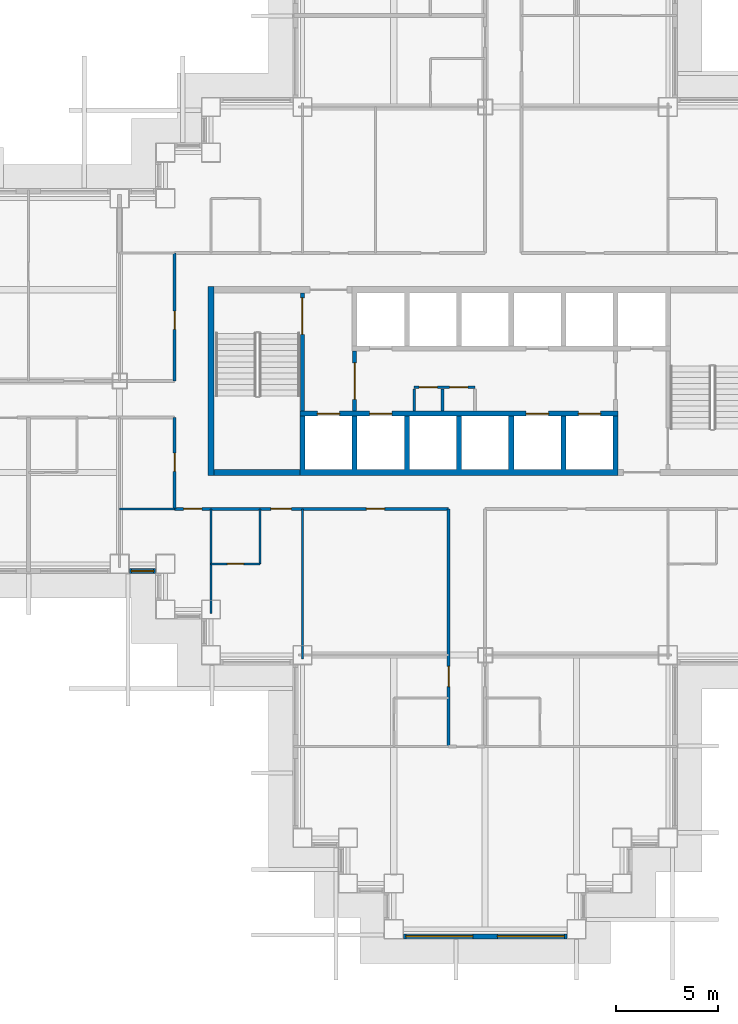
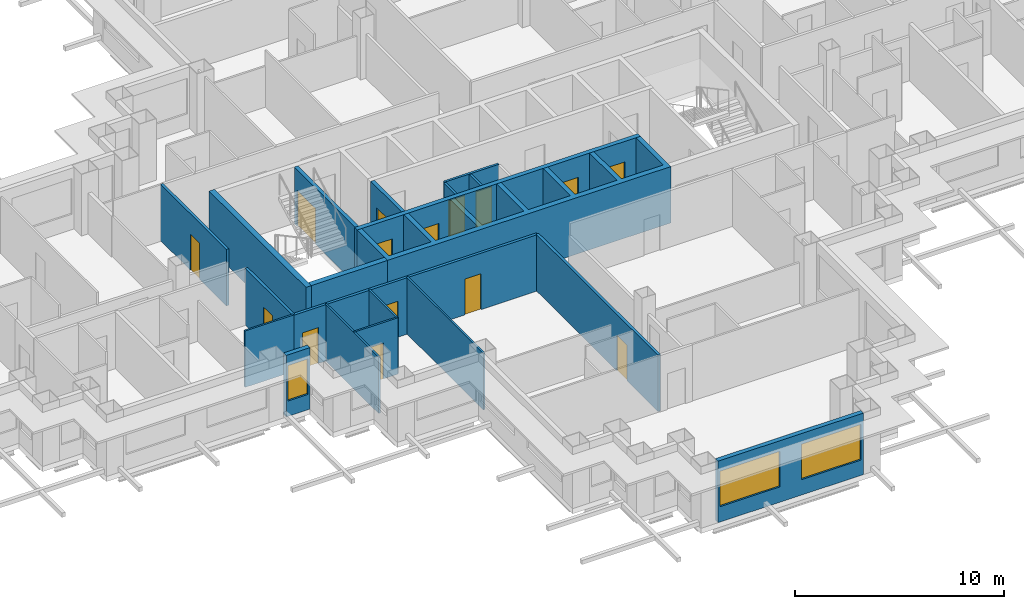
# One storey, part 4 of 15: 20 walls, 15 doors, 3 windows, 18 openings.
"""IFC4 building model written with IfcOpenShell, lengths in metres."""

from ifc_helpers import new_model, si_unit, direction, frame, frame_2d, origin, place, context, subcontext, project, spatial, polyline, rectangle, outline, extrude, material, layer, layer_set, type_object, element, fill, save


model = new_model("IFC4")

# Units and contexts
model_context = context("Model", 3, precision=1e-05, world=origin(), true_north=direction((0.0, 1.0)))
body_context = subcontext(model_context, "Body", "Model", "MODEL_VIEW")
ifc_project = project(units=[si_unit("LENGTHUNIT", "METRE"), si_unit("AREAUNIT", "SQUARE_METRE"), si_unit("VOLUMEUNIT", "CUBIC_METRE"), si_unit("PLANEANGLEUNIT", "RADIAN"), si_unit("MASSUNIT", "GRAM", prefix="KILO")], contexts=[model_context])

# Site, building, storey
site_placement = place(None, origin())
site = spatial("IfcSite", under=ifc_project, at=site_placement, CompositionType="ELEMENT")
building_placement = place(site_placement, origin())
building = spatial("IfcBuilding", under=site, at=building_placement, Name="Caravel Reach Hotel and Residences", CompositionType="ELEMENT")
storey_placement = place(building_placement, frame((0.0, 0.0, 81.60009765625)))
storey = spatial("IfcBuildingStorey", under=building, at=storey_placement, Name="L19", CompositionType="ELEMENT", Elevation=81.60009765625)

# Wall, opening, door
ifc_material_1 = material(Name="Gypsum board on steel stud", Category="steel")
ifc_layer_1 = layer(ifc_material_1, 0.10009765625)
ifc_layer_set_1 = layer_set([ifc_layer_1], Name="Bathroom pod wall 100 mm")
wall_type_1 = type_object("IfcWallType", Name="Bathroom pod wall 100 mm", PredefinedType="PARTITIONING", material=ifc_layer_set_1)
wall_1_placement = place(storey_placement, frame((18.0, 18.0, 0.0), z_axis=(0.0, 0.0, 1.0), x_axis=(1.0, 0.0, 0.0)))
wall_1 = element("IfcWall", 1, at=wall_1_placement, inside=storey, type_object=wall_type_1, Name="L19 wall w084", PredefinedType="PARTITIONING", context=body_context, shape_type="SweptSolid", body=[
    extrude(rectangle(XDim=2.39990234375, YDim=0.10009765625, at=frame_2d((1.199951171875, 0.0))), origin(), (0.0, 0.0, 1.0), 3.2998046875),
])
opening_1_placement = place(wall_1_placement, frame((0.800048828125, 0.0, 0.0)))
opening_1 = element("IfcOpeningElement", 2, at=opening_1_placement, cuts=wall_1, Name="Opening D19-053", PredefinedType="OPENING", context=body_context, shape_type="SweptSolid", body=[
    extrude(rectangle(XDim=0.800048828125, YDim=2.10009765625, at=frame_2d((0.39990234375, 1.050048828125))), frame((0.0, 0.06005859375, 0.0), z_axis=(0.0, -1.0, 0.0), x_axis=(1.0, 0.0, 0.0)), (0.0, 0.0, 1.0), 0.1201171875),
])
ifc_material_2 = material(Name="Timber and steel door leaf", Category="steel")
door_type_1 = type_object("IfcDoorType", Name="Bathroom door 800 x 2100", OperationType="SINGLE_SWING_LEFT", PredefinedType="DOOR", material=ifc_material_2)
door_1_placement = place(opening_1_placement, origin())
door_1 = element("IfcDoor", 3, at=door_1_placement, inside=storey, type_object=door_type_1, Name="door D19-053", OperationType="SINGLE_SWING_LEFT", OverallHeight=2.10009765625, OverallWidth=0.800048828125, PredefinedType="DOOR", context=body_context, shape_type="SweptSolid", body=[
    extrude(rectangle(XDim=0.800048828125, YDim=2.10009765625, at=frame_2d((0.39990234375, 1.050048828125))), frame((0.0, 0.02490234375, 0.0), z_axis=(0.0, -1.0, 0.0), x_axis=(1.0, 0.0, 0.0)), (0.0, 0.0, 1.0), 0.050048828125),
])
fill(opening_1, door_1)

# Walls
wall_2_placement = place(storey_placement, frame((20.39990234375, 18.0, 0.0), z_axis=(0.0, 0.0, 1.0), x_axis=(0.0, 1.0, 0.0)))
element("IfcWall", 4, at=wall_2_placement, inside=storey, type_object=wall_type_1, Name="L19 wall w103", PredefinedType="PARTITIONING", context=body_context, shape_type="SweptSolid", body=[
    extrude(rectangle(XDim=2.699951171875, YDim=0.10009765625, at=frame_2d((1.35009765625, 0.0))), origin(), (0.0, 0.0, 1.0), 3.2998046875),
])
ifc_material_3 = material(Name="Concrete C60", Category="concrete")
ifc_layer_2 = layer(ifc_material_3, 0.300048828125)
ifc_layer_set_2 = layer_set([ifc_layer_2], Name="Core wall 300 mm EI 120")
wall_type_2 = type_object("IfcWallType", Name="Core wall 300 mm EI 120", PredefinedType="SHEAR", material=ifc_layer_set_2)
wall_3_placement = place(storey_placement, frame((18.14990234375, 22.5, 0.0), z_axis=(0.0, 0.0, 1.0), x_axis=(1.0, 0.0, 0.0)))
element("IfcWall", 5, at=wall_3_placement, inside=storey, type_object=wall_type_2, Name="L19 core wall S1", PredefinedType="SHEAR", context=body_context, shape_type="SweptSolid", body=[
    extrude(rectangle(XDim=4.22509765625, YDim=0.300048828125, at=frame_2d((2.112548828125, 0.0))), origin(), (0.0, 0.0, 1.0), 3.2998046875),
])
wall_4_placement = place(storey_placement, frame((18.0, 22.35009765625, 0.0), z_axis=(0.0, 0.0, 1.0), x_axis=(0.0, 1.0, 0.0)))
element("IfcWall", 6, at=wall_4_placement, inside=storey, type_object=wall_type_2, Name="L19 core wall W", PredefinedType="SHEAR", context=body_context, shape_type="SweptSolid", body=[
    extrude(rectangle(XDim=9.2998046875, YDim=0.300048828125, at=frame_2d((4.64990234375, 0.0))), origin(), (0.0, 0.0, 1.0), 3.2998046875),
])

# Wall, openings, doors
ifc_material_4 = material(Name="Gypsum board on steel stud, fire-rated", Category="steel")
ifc_layer_3 = layer(ifc_material_4, 0.14990234375)
ifc_layer_set_3 = layer_set([ifc_layer_3], Name="Corridor wall 150 mm EI 60")
wall_type_3 = type_object("IfcWallType", Name="Corridor wall 150 mm EI 60", PredefinedType="PARTITIONING", material=ifc_layer_set_3)
wall_5_placement = place(storey_placement, frame((16.199951171875, 20.699951171875, 0.0), z_axis=(0.0, 0.0, 1.0), x_axis=(1.0, 0.0, 0.0)))
wall_5 = element("IfcWall", 7, at=wall_5_placement, inside=storey, type_object=wall_type_3, Name="L19 wall w005", PredefinedType="PARTITIONING", context=body_context, shape_type="SweptSolid", body=[
    extrude(rectangle(XDim=13.5, YDim=0.14990234375, at=frame_2d((6.75, 0.0))), origin(), (0.0, 0.0, 1.0), 3.2998046875),
])
opening_2_placement = place(wall_5_placement, frame((4.75, 0.0, 0.0)))
opening_2 = element("IfcOpeningElement", 8, at=opening_2_placement, cuts=wall_5, Name="Opening D19-052", PredefinedType="OPENING", context=body_context, shape_type="SweptSolid", body=[
    extrude(rectangle(XDim=1.0, YDim=2.10009765625, at=frame_2d((0.5, 1.050048828125))), frame((0.0, 0.0849609375, 0.0), z_axis=(0.0, -1.0, 0.0), x_axis=(1.0, 0.0, 0.0)), (0.0, 0.0, 1.0), 0.169921875),
])
opening_3_placement = place(wall_5_placement, frame((0.449951171875, 0.0, 0.0)))
opening_3 = element("IfcOpeningElement", 9, at=opening_3_placement, cuts=wall_5, Name="Opening D19-054", PredefinedType="OPENING", context=body_context, shape_type="SweptSolid", body=[
    extrude(rectangle(XDim=0.89990234375, YDim=2.10009765625, at=frame_2d((0.449951171875, 1.050048828125))), frame((0.0, 0.0849609375, 0.0), z_axis=(0.0, -1.0, 0.0), x_axis=(1.0, 0.0, 0.0)), (0.0, 0.0, 1.0), 0.169921875),
])
opening_4_placement = place(wall_5_placement, frame((9.449951171875, 0.0, 0.0)))
opening_4 = element("IfcOpeningElement", 10, at=opening_4_placement, cuts=wall_5, Name="Opening D19-061", PredefinedType="OPENING", context=body_context, shape_type="SweptSolid", body=[
    extrude(rectangle(XDim=0.89990234375, YDim=2.10009765625, at=frame_2d((0.449951171875, 1.050048828125))), frame((0.0, 0.0849609375, 0.0), z_axis=(0.0, -1.0, 0.0), x_axis=(1.0, 0.0, 0.0)), (0.0, 0.0, 1.0), 0.169921875),
])
ifc_material_5 = material(Name="Timber and steel door leaf", Category="steel")
door_type_2 = type_object("IfcDoorType", Name="Door 900 x 2100 timber", OperationType="SINGLE_SWING_LEFT", PredefinedType="DOOR", material=ifc_material_5)
door_2_placement = place(opening_3_placement, origin())
door_2 = element("IfcDoor", 11, at=door_2_placement, inside=storey, type_object=door_type_2, Name="door D19-054", OperationType="SINGLE_SWING_RIGHT", OverallHeight=2.10009765625, OverallWidth=0.89990234375, PredefinedType="DOOR", context=body_context, shape_type="SweptSolid", body=[
    extrude(rectangle(XDim=0.89990234375, YDim=2.10009765625, at=frame_2d((0.449951171875, 1.050048828125))), frame((0.0, 0.02490234375, 0.0), z_axis=(0.0, -1.0, 0.0), x_axis=(1.0, 0.0, 0.0)), (0.0, 0.0, 1.0), 0.050048828125),
])
fill(opening_3, door_2)
door_3_placement = place(opening_4_placement, origin())
door_3 = element("IfcDoor", 12, at=door_3_placement, inside=storey, type_object=door_type_2, Name="door D19-061", OperationType="SINGLE_SWING_LEFT", OverallHeight=2.10009765625, OverallWidth=0.89990234375, PredefinedType="DOOR", context=body_context, shape_type="SweptSolid", body=[
    extrude(rectangle(XDim=0.89990234375, YDim=2.10009765625, at=frame_2d((0.449951171875, 1.050048828125))), frame((0.0, 0.02490234375, 0.0), z_axis=(0.0, -1.0, 0.0), x_axis=(1.0, 0.0, 0.0)), (0.0, 0.0, 1.0), 0.050048828125),
])
fill(opening_4, door_3)
ifc_material_6 = material(Name="Steel fire door leaf", Category="steel")
door_type_3 = type_object("IfcDoorType", Name="Guest room door 1000 x 2100 EI 30", OperationType="SINGLE_SWING_LEFT", PredefinedType="DOOR", material=ifc_material_6)
door_4_placement = place(opening_2_placement, origin())
door_4 = element("IfcDoor", 13, at=door_4_placement, inside=storey, type_object=door_type_3, Name="door D19-052", OperationType="SINGLE_SWING_RIGHT", OverallHeight=2.10009765625, OverallWidth=1.0, PredefinedType="DOOR", context=body_context, shape_type="SweptSolid", body=[
    extrude(rectangle(XDim=1.0, YDim=2.10009765625, at=frame_2d((0.5, 1.050048828125))), frame((0.0, 0.02490234375, 0.0), z_axis=(0.0, -1.0, 0.0), x_axis=(1.0, 0.0, 0.0)), (0.0, 0.0, 1.0), 0.050048828125),
])
fill(opening_2, door_4)

# Wall, opening, door
wall_6_placement = place(storey_placement, frame((16.199951171875, 27.0, 0.0), z_axis=(0.0, 0.0, 1.0), x_axis=(0.0, 1.0, 0.0)))
wall_6 = element("IfcWall", 14, at=wall_6_placement, inside=storey, type_object=wall_type_3, Name="L19 wall w027", PredefinedType="PARTITIONING", context=body_context, shape_type="SweptSolid", body=[
    extrude(rectangle(XDim=6.300048828125, YDim=0.14990234375, at=frame_2d((3.14990234375, 0.0))), origin(), (0.0, 0.0, 1.0), 3.2998046875),
])
opening_5_placement = place(wall_6_placement, frame((2.550048828125, 0.0, 0.0)))
opening_5 = element("IfcOpeningElement", 15, at=opening_5_placement, cuts=wall_6, Name="Opening D19-064", PredefinedType="OPENING", context=body_context, shape_type="SweptSolid", body=[
    extrude(rectangle(XDim=0.89990234375, YDim=2.10009765625, at=frame_2d((0.449951171875, 1.050048828125))), frame((0.0, 0.0849609375, 0.0), z_axis=(0.0, -1.0, 0.0), x_axis=(1.0, 0.0, 0.0)), (0.0, 0.0, 1.0), 0.169921875),
])
door_5_placement = place(opening_5_placement, origin())
door_5 = element("IfcDoor", 16, at=door_5_placement, inside=storey, type_object=door_type_2, Name="door D19-064", OperationType="SINGLE_SWING_LEFT", OverallHeight=2.10009765625, OverallWidth=0.89990234375, PredefinedType="DOOR", context=body_context, shape_type="SweptSolid", body=[
    extrude(rectangle(XDim=0.89990234375, YDim=2.10009765625, at=frame_2d((0.449951171875, 1.050048828125))), frame((0.0, 0.02490234375, 0.0), z_axis=(0.0, -1.0, 0.0), x_axis=(1.0, 0.0, 0.0)), (0.0, 0.0, 1.0), 0.050048828125),
])
fill(opening_5, door_5)

wall_7_placement = place(storey_placement, frame((16.199951171875, 20.699951171875, 0.0), z_axis=(0.0, 0.0, 1.0), x_axis=(0.0, 1.0, 0.0)))
wall_7 = element("IfcWall", 17, at=wall_7_placement, inside=storey, type_object=wall_type_3, Name="L19 wall w028", PredefinedType="PARTITIONING", context=body_context, shape_type="SweptSolid", body=[
    extrude(rectangle(XDim=4.5, YDim=0.14990234375, at=frame_2d((2.25, 0.0))), origin(), (0.0, 0.0, 1.0), 3.2998046875),
])
opening_6_placement = place(wall_7_placement, frame((1.85009765625, 0.0, 0.0)))
opening_6 = element("IfcOpeningElement", 18, at=opening_6_placement, cuts=wall_7, Name="Opening D19-063", PredefinedType="OPENING", context=body_context, shape_type="SweptSolid", body=[
    extrude(rectangle(XDim=0.89990234375, YDim=2.10009765625, at=frame_2d((0.449951171875, 1.050048828125))), frame((0.0, 0.0849609375, 0.0), z_axis=(0.0, -1.0, 0.0), x_axis=(1.0, 0.0, 0.0)), (0.0, 0.0, 1.0), 0.169921875),
])
door_6_placement = place(opening_6_placement, origin())
door_6 = element("IfcDoor", 19, at=door_6_placement, inside=storey, type_object=door_type_2, Name="door D19-063", OperationType="SINGLE_SWING_RIGHT", OverallHeight=2.10009765625, OverallWidth=0.89990234375, PredefinedType="DOOR", context=body_context, shape_type="SweptSolid", body=[
    extrude(rectangle(XDim=0.89990234375, YDim=2.10009765625, at=frame_2d((0.449951171875, 1.050048828125))), frame((0.0, 0.02490234375, 0.0), z_axis=(0.0, -1.0, 0.0), x_axis=(1.0, 0.0, 0.0)), (0.0, 0.0, 1.0), 0.050048828125),
])
fill(opening_6, door_6)

wall_8_placement = place(storey_placement, frame((29.699951171875, 9.0, 0.0), z_axis=(0.0, 0.0, 1.0), x_axis=(0.0, 1.0, 0.0)))
wall_8 = element("IfcWall", 20, at=wall_8_placement, inside=storey, type_object=wall_type_3, Name="L19 wall w029", PredefinedType="PARTITIONING", context=body_context, shape_type="SweptSolid", body=[
    extrude(rectangle(XDim=11.699951171875, YDim=0.14990234375, at=frame_2d((5.85009765625, 0.0))), origin(), (0.0, 0.0, 1.0), 3.2998046875),
])
opening_7_placement = place(wall_8_placement, frame((2.949951171875, 0.0, 0.0)))
opening_7 = element("IfcOpeningElement", 21, at=opening_7_placement, cuts=wall_8, Name="Opening D19-038", PredefinedType="OPENING", context=body_context, shape_type="SweptSolid", body=[
    extrude(rectangle(XDim=1.0, YDim=2.10009765625, at=frame_2d((0.5, 1.050048828125))), frame((0.0, 0.0849609375, 0.0), z_axis=(0.0, -1.0, 0.0), x_axis=(1.0, 0.0, 0.0)), (0.0, 0.0, 1.0), 0.169921875),
])
door_7_placement = place(opening_7_placement, origin())
door_7 = element("IfcDoor", 22, at=door_7_placement, inside=storey, type_object=door_type_3, Name="door D19-038", OperationType="SINGLE_SWING_RIGHT", OverallHeight=2.10009765625, OverallWidth=1.0, PredefinedType="DOOR", context=body_context, shape_type="SweptSolid", body=[
    extrude(rectangle(XDim=1.0, YDim=2.10009765625, at=frame_2d((0.5, 1.050048828125))), frame((0.0, 0.02490234375, 0.0), z_axis=(0.0, -1.0, 0.0), x_axis=(1.0, 0.0, 0.0)), (0.0, 0.0, 1.0), 0.050048828125),
])
fill(opening_7, door_7)

# Wall, openings, windows
ifc_material_7 = material(Name="Insulated rainscreen wall, aluminium cladding", Category="aluminium")
ifc_layer_4 = layer(ifc_material_7, 0.25)
ifc_layer_set_4 = layer_set([ifc_layer_4], Name="EW1 Tower rainscreen wall")
wall_type_4 = type_object("IfcWallType", Name="EW1 Tower rainscreen wall", PredefinedType="SOLIDWALL", material=ifc_layer_set_4)
wall_9_placement = place(storey_placement, frame((27.47509765625, -0.35009765625, 0.0), z_axis=(0.0, 0.0, 1.0), x_axis=(1.0, 0.0, 0.0)))
wall_9 = element("IfcWall", 23, at=wall_9_placement, inside=storey, type_object=wall_type_4, Name="External wall L19 S5.1", PredefinedType="SOLIDWALL", context=body_context, shape_type="SweptSolid", body=[
    extrude(rectangle(XDim=8.0498046875, YDim=0.25, at=frame_2d((4.02490234375, 0.0))), origin(), (0.0, 0.0, 1.0), 3.599853515625),
])
opening_8_placement = place(wall_9_placement, frame((0.125, 0.0, 0.89990234375)))
opening_8 = element("IfcOpeningElement", 24, at=opening_8_placement, cuts=wall_9, Name="Opening WN4", PredefinedType="OPENING", context=body_context, shape_type="SweptSolid", body=[
    extrude(rectangle(XDim=3.300048828125, YDim=2.080078125, at=frame_2d((1.64990234375, 1.0400390625))), frame((0.0, 0.135009765625, 0.0), z_axis=(0.0, -1.0, 0.0), x_axis=(1.0, 0.0, 0.0)), (0.0, 0.0, 1.0), 0.27001953125),
])
opening_9_placement = place(wall_9_placement, frame((4.625, 0.0, 0.89990234375)))
opening_9 = element("IfcOpeningElement", 25, at=opening_9_placement, cuts=wall_9, Name="Opening WN4", PredefinedType="OPENING", context=body_context, shape_type="SweptSolid", body=[
    extrude(rectangle(XDim=3.300048828125, YDim=2.080078125, at=frame_2d((1.64990234375, 1.0400390625))), frame((0.0, 0.135009765625, 0.0), z_axis=(0.0, -1.0, 0.0), x_axis=(1.0, 0.0, 0.0)), (0.0, 0.0, 1.0), 0.27001953125),
])
ifc_material_8 = material(Name="Dark low-e glazing in black aluminium frame", Category="aluminium")
window_type_1 = type_object("IfcWindowType", Name="Hotel guest room window 3300 x 2080", PartitioningType="SINGLE_PANEL", PredefinedType="WINDOW", material=ifc_material_8)
window_1_placement = place(opening_8_placement, origin())
window_1 = element("IfcWindow", 26, at=window_1_placement, inside=storey, type_object=window_type_1, Name="Window L19 S5.1.1", OverallHeight=2.080078125, OverallWidth=3.300048828125, PartitioningType="SINGLE_PANEL", PredefinedType="WINDOW", context=body_context, shape_type="SweptSolid", body=[
    extrude(rectangle(XDim=3.300048828125, YDim=2.080078125, at=frame_2d((1.64990234375, 1.0400390625))), frame((0.0, 0.030029296875, 0.0), z_axis=(0.0, -1.0, 0.0), x_axis=(1.0, 0.0, 0.0)), (0.0, 0.0, 1.0), 0.06005859375),
])
fill(opening_8, window_1)
window_2_placement = place(opening_9_placement, origin())
window_2 = element("IfcWindow", 27, at=window_2_placement, inside=storey, type_object=window_type_1, Name="Window L19 S5.1.2", OverallHeight=2.080078125, OverallWidth=3.300048828125, PartitioningType="SINGLE_PANEL", PredefinedType="WINDOW", context=body_context, shape_type="SweptSolid", body=[
    extrude(rectangle(XDim=3.300048828125, YDim=2.080078125, at=frame_2d((1.64990234375, 1.0400390625))), frame((0.0, 0.030029296875, 0.0), z_axis=(0.0, -1.0, 0.0), x_axis=(1.0, 0.0, 0.0)), (0.0, 0.0, 1.0), 0.06005859375),
])
fill(opening_9, window_2)

# Wall, opening, window
wall_10_placement = place(storey_placement, frame((13.97509765625, 17.64990234375, 0.0), z_axis=(0.0, 0.0, 1.0), x_axis=(1.0, 0.0, 0.0)))
wall_10 = element("IfcWall", 28, at=wall_10_placement, inside=storey, type_object=wall_type_4, Name="External wall L19 S55.2", PredefinedType="SOLIDWALL", context=body_context, shape_type="SweptSolid", body=[
    extrude(rectangle(XDim=1.2998046875, YDim=0.25, at=frame_2d((0.64990234375, 0.0))), origin(), (0.0, 0.0, 1.0), 3.599853515625),
])
opening_10_placement = place(wall_10_placement, frame((0.10009765625, 0.0, 0.89990234375)))
opening_10 = element("IfcOpeningElement", 29, at=opening_10_placement, cuts=wall_10, Name="Opening WN5", PredefinedType="OPENING", context=body_context, shape_type="SweptSolid", body=[
    extrude(rectangle(XDim=1.10009765625, YDim=2.080078125, at=frame_2d((0.550048828125, 1.0400390625))), frame((0.0, 0.135009765625, 0.0), z_axis=(0.0, -1.0, 0.0), x_axis=(1.0, 0.0, 0.0)), (0.0, 0.0, 1.0), 0.27001953125),
])
ifc_material_9 = material(Name="Dark low-e glazing in black aluminium frame", Category="aluminium")
window_type_2 = type_object("IfcWindowType", Name="Hotel suite corner window 1100 x 2080", PartitioningType="SINGLE_PANEL", PredefinedType="WINDOW", material=ifc_material_9)
window_3_placement = place(opening_10_placement, origin())
window_3 = element("IfcWindow", 30, at=window_3_placement, inside=storey, type_object=window_type_2, Name="Window L19 S55.2.1", OverallHeight=2.080078125, OverallWidth=1.10009765625, PartitioningType="SINGLE_PANEL", PredefinedType="WINDOW", context=body_context, shape_type="SweptSolid", body=[
    extrude(rectangle(XDim=1.10009765625, YDim=2.080078125, at=frame_2d((0.550048828125, 1.0400390625))), frame((0.0, 0.030029296875, 0.0), z_axis=(0.0, -1.0, 0.0), x_axis=(1.0, 0.0, 0.0)), (0.0, 0.0, 1.0), 0.06005859375),
])
fill(opening_10, window_3)

# Wall, opening, door
ifc_material_10 = material(Name="Autoclaved aerated block wall")
ifc_layer_5 = layer(ifc_material_10, 0.199951171875)
ifc_layer_set_5 = layer_set([ifc_layer_5], Name="Fire lobby wall 200 mm EI 120")
wall_type_5 = type_object("IfcWallType", Name="Fire lobby wall 200 mm EI 120", PredefinedType="PARTITIONING", material=ifc_layer_set_5)
wall_11_placement = place(storey_placement, frame((25.071533203125, 25.52490234375, 0.0), z_axis=(0.0, 0.0, 1.0), x_axis=(0.0, 1.0, 0.0)))
wall_11 = element("IfcWall", 31, at=wall_11_placement, inside=storey, type_object=wall_type_5, Name="L19 lobby W wall", PredefinedType="PARTITIONING", context=body_context, shape_type="SweptSolid", body=[
    extrude(rectangle(XDim=2.9501953125, YDim=0.199951171875, at=frame_2d((1.47509765625, 0.0))), origin(), (0.0, 0.0, 1.0), 3.2998046875),
])
opening_11_placement = place(wall_11_placement, frame((0.574951171875, 0.0, 0.0)))
opening_11 = element("IfcOpeningElement", 32, at=opening_11_placement, cuts=wall_11, Name="Opening D19-012", PredefinedType="OPENING", context=body_context, shape_type="SweptSolid", body=[
    extrude(rectangle(XDim=1.800048828125, YDim=2.10009765625, at=frame_2d((0.89990234375, 1.050048828125))), frame((0.0, 0.10986328125, 0.0), z_axis=(0.0, -1.0, 0.0), x_axis=(1.0, 0.0, 0.0)), (0.0, 0.0, 1.0), 0.219970703125),
])
ifc_material_11 = material(Name="Steel fire door leaf", Category="steel")
door_type_4 = type_object("IfcDoorType", Name="Fire lobby door pair 1800 x 2100 EI 90", OperationType="DOUBLE_DOOR_SINGLE_SWING", PredefinedType="DOOR", material=ifc_material_11)
door_8_placement = place(opening_11_placement, origin())
door_8 = element("IfcDoor", 33, at=door_8_placement, inside=storey, type_object=door_type_4, Name="lobby W door pair", OperationType="DOUBLE_DOOR_SINGLE_SWING", OverallHeight=2.10009765625, OverallWidth=1.800048828125, PredefinedType="DOOR", context=body_context, shape_type="SweptSolid", body=[
    extrude(rectangle(XDim=1.800048828125, YDim=2.10009765625, at=frame_2d((0.89990234375, 1.050048828125))), frame((0.0, 0.02490234375, 0.0), z_axis=(0.0, -1.0, 0.0), x_axis=(1.0, 0.0, 0.0)), (0.0, 0.0, 1.0), 0.050048828125),
])
fill(opening_11, door_8)

# Walls
ifc_material_12 = material(Name="Gypsum board on steel stud", Category="steel")
ifc_layer_6 = layer(ifc_material_12, 0.10009765625)
ifc_layer_set_6 = layer_set([ifc_layer_6], Name="Partition 100 mm")
wall_type_6 = type_object("IfcWallType", Name="Partition 100 mm", PredefinedType="PARTITIONING", material=ifc_layer_set_6)
wall_12_placement = place(storey_placement, frame((13.5, 20.699951171875, 0.0), z_axis=(0.0, 0.0, 1.0), x_axis=(1.0, 0.0, 0.0)))
element("IfcWall", 34, at=wall_12_placement, inside=storey, type_object=wall_type_6, Name="L19 wall w045", PredefinedType="PARTITIONING", context=body_context, shape_type="SweptSolid", body=[
    extrude(rectangle(XDim=2.699951171875, YDim=0.10009765625, at=frame_2d((1.35009765625, 0.0))), origin(), (0.0, 0.0, 1.0), 3.2998046875),
])
wall_13_placement = place(storey_placement, frame((18.0, 15.56005859375, 0.0), z_axis=(0.0, 0.0, 1.0), x_axis=(0.0, 1.0, 0.0)))
element("IfcWall", 35, at=wall_13_placement, inside=storey, type_object=wall_type_6, Name="L19 wall w060", PredefinedType="PARTITIONING", context=body_context, shape_type="SweptSolid", body=[
    extrude(rectangle(XDim=5.139892578125, YDim=0.10009765625, at=frame_2d((2.56982421875, 0.0))), origin(), (0.0, 0.0, 1.0), 3.2998046875),
])
wall_14_placement = place(storey_placement, frame((22.5, 13.31005859375, 0.0), z_axis=(0.0, 0.0, 1.0), x_axis=(0.0, 1.0, 0.0)))
element("IfcWall", 36, at=wall_14_placement, inside=storey, type_object=wall_type_6, Name="L19 wall w062", PredefinedType="PARTITIONING", context=body_context, shape_type="SweptSolid", body=[
    extrude(rectangle(XDim=7.389892578125, YDim=0.10009765625, at=frame_2d((3.69482421875, 0.0))), origin(), (0.0, 0.0, 1.0), 3.2998046875),
])

# Wall, openings, doors
ifc_material_13 = material(Name="Autoclaved aerated block wall")
ifc_layer_7 = layer(ifc_material_13, 0.125)
ifc_layer_set_7 = layer_set([ifc_layer_7], Name="Riser wall 125 mm EI 60")
wall_type_7 = type_object("IfcWallType", Name="Riser wall 125 mm EI 60", PredefinedType="PARTITIONING", material=ifc_layer_set_7)
wall_15_placement = place(storey_placement, frame((28.0, 26.699951171875, 0.0), z_axis=(0.0, 0.0, 1.0), x_axis=(1.0, 0.0, 0.0)))
wall_15 = element("IfcWall", 37, at=wall_15_placement, inside=storey, type_object=wall_type_7, Name="L19 service room wall S1", PredefinedType="PARTITIONING", context=body_context, shape_type="SweptSolid", body=[
    extrude(rectangle(XDim=3.0, YDim=0.125, at=frame_2d((1.5, 0.0))), origin(), (0.0, 0.0, 1.0), 3.2998046875),
])
opening_12_placement = place(wall_15_placement, frame((0.25, 0.0, 0.0)))
opening_12 = element("IfcOpeningElement", 38, at=opening_12_placement, cuts=wall_15, Name="Opening D19-008", PredefinedType="OPENING", context=body_context, shape_type="SweptSolid", body=[
    extrude(rectangle(XDim=0.89990234375, YDim=2.10009765625, at=frame_2d((0.449951171875, 1.050048828125))), frame((0.0, 0.072509765625, 0.0), z_axis=(0.0, -1.0, 0.0), x_axis=(1.0, 0.0, 0.0)), (0.0, 0.0, 1.0), 0.14501953125),
])
opening_13_placement = place(wall_15_placement, frame((1.75, 0.0, 0.0)))
opening_13 = element("IfcOpeningElement", 39, at=opening_13_placement, cuts=wall_15, Name="Opening D19-009", PredefinedType="OPENING", context=body_context, shape_type="SweptSolid", body=[
    extrude(rectangle(XDim=0.89990234375, YDim=2.10009765625, at=frame_2d((0.449951171875, 1.050048828125))), frame((0.0, 0.072509765625, 0.0), z_axis=(0.0, -1.0, 0.0), x_axis=(1.0, 0.0, 0.0)), (0.0, 0.0, 1.0), 0.14501953125),
])
ifc_material_14 = material(Name="Steel fire door leaf", Category="steel")
door_type_5 = type_object("IfcDoorType", Name="Riser door 900 x 2100 EI 60", OperationType="SINGLE_SWING_LEFT", PredefinedType="DOOR", material=ifc_material_14)
door_9_placement = place(opening_12_placement, origin())
door_9 = element("IfcDoor", 40, at=door_9_placement, inside=storey, type_object=door_type_5, Name="Cleaners' room door", OperationType="SINGLE_SWING_LEFT", OverallHeight=2.10009765625, OverallWidth=0.89990234375, PredefinedType="DOOR", context=body_context, shape_type="SweptSolid", body=[
    extrude(rectangle(XDim=0.89990234375, YDim=2.10009765625, at=frame_2d((0.449951171875, 1.050048828125))), frame((0.0, 0.02490234375, 0.0), z_axis=(0.0, -1.0, 0.0), x_axis=(1.0, 0.0, 0.0)), (0.0, 0.0, 1.0), 0.050048828125),
])
fill(opening_12, door_9)
door_10_placement = place(opening_13_placement, origin())
door_10 = element("IfcDoor", 41, at=door_10_placement, inside=storey, type_object=door_type_5, Name="Linen store door", OperationType="SINGLE_SWING_LEFT", OverallHeight=2.10009765625, OverallWidth=0.89990234375, PredefinedType="DOOR", context=body_context, shape_type="SweptSolid", body=[
    extrude(rectangle(XDim=0.89990234375, YDim=2.10009765625, at=frame_2d((0.449951171875, 1.050048828125))), frame((0.0, 0.02490234375, 0.0), z_axis=(0.0, -1.0, 0.0), x_axis=(1.0, 0.0, 0.0)), (0.0, 0.0, 1.0), 0.050048828125),
])
fill(opening_13, door_10)

# Walls
for number, where, z_axis, x_axis, name in (
    (42, (28.0, 25.52490234375, 0.0), (0.0, 0.0, 1.0), (0.0, 1.0, 0.0), "L19 service room partition S1"),
    (43, (29.39990234375, 25.52490234375, 0.0), (0.0, 0.0, 1.0), (0.0, 1.0, 0.0), "L19 service room partition S1"),
):
    element("IfcWall", number, at=place(storey_placement, frame(where, z_axis=z_axis, x_axis=x_axis)), inside=storey, type_object=wall_type_7, Name=name, PredefinedType="PARTITIONING", context=body_context, shape_type="SweptSolid", body=[
        extrude(rectangle(XDim=1.0751953125, YDim=0.125, at=frame_2d((0.53759765625, 0.0))), origin(), (0.0, 0.0, 1.0), 3.2998046875),
    ])
ifc_material_15 = material(Name="Concrete C60", Category="concrete")
ifc_layer_8 = layer(ifc_material_15, 0.25)
ifc_layer_set_8 = layer_set([ifc_layer_8], Name="Shaft wall 250 mm EI 120")
wall_type_8 = type_object("IfcWallType", Name="Shaft wall 250 mm EI 120", PredefinedType="SHEAR", material=ifc_layer_set_8)
wall_16_placement = place(storey_placement, origin())
element("IfcWall", 44, at=wall_16_placement, inside=storey, type_object=wall_type_8, Name="L19 lift shaft wall S1", PredefinedType="SHEAR", context=body_context, shape_type="SweptSolid", body=[
    extrude(outline(polyline([(22.375, 22.35009765625), (38.053466796875, 22.35009765625), (38.053466796875, 25.27490234375), (37.803466796875, 25.27490234375), (37.803466796875, 22.64990234375), (35.482177734375, 22.64990234375), (35.482177734375, 25.27490234375), (35.232177734375, 25.27490234375), (35.232177734375, 22.64990234375), (32.91064453125, 22.64990234375), (32.91064453125, 25.27490234375), (32.66064453125, 25.27490234375), (32.66064453125, 22.64990234375), (30.33935546875, 22.64990234375), (30.33935546875, 25.27490234375), (30.08935546875, 25.27490234375), (30.08935546875, 22.64990234375), (27.767822265625, 22.64990234375), (27.767822265625, 25.27490234375), (27.517822265625, 25.27490234375), (27.517822265625, 22.64990234375), (25.196533203125, 22.64990234375), (25.196533203125, 25.27490234375), (24.946533203125, 25.27490234375), (24.946533203125, 22.64990234375), (22.625, 22.64990234375), (22.625, 25.27490234375), (22.375, 25.27490234375), (22.375, 22.35009765625)])), origin(), (0.0, 0.0, 1.0), 3.2998046875),
])

# Wall, openings, doors
wall_17_placement = place(storey_placement, frame((22.375, 25.39990234375, 0.0), z_axis=(0.0, 0.0, 1.0), x_axis=(1.0, 0.0, 0.0)))
wall_17 = element("IfcWall", 45, at=wall_17_placement, inside=storey, type_object=wall_type_8, Name="L19 lobby wall S1", PredefinedType="SHEAR", context=body_context, shape_type="SweptSolid", body=[
    extrude(rectangle(XDim=15.678466796875, YDim=0.25, at=frame_2d((7.83935546875, 0.0))), origin(), (0.0, 0.0, 1.0), 3.2998046875),
])
opening_14_placement = place(wall_17_placement, frame((3.43212890625, 0.0, 0.0)))
opening_14 = element("IfcOpeningElement", 46, at=opening_14_placement, cuts=wall_17, Name="Opening D19-001", PredefinedType="OPENING", context=body_context, shape_type="SweptSolid", body=[
    extrude(rectangle(XDim=1.10009765625, YDim=2.10009765625, at=frame_2d((0.550048828125, 1.050048828125))), frame((0.0, 0.135009765625, 0.0), z_axis=(0.0, -1.0, 0.0), x_axis=(1.0, 0.0, 0.0)), (0.0, 0.0, 1.0), 0.27001953125),
])
opening_15_placement = place(wall_17_placement, frame((11.146484375, 0.0, 0.0)))
opening_15 = element("IfcOpeningElement", 47, at=opening_15_placement, cuts=wall_17, Name="Opening D19-002", PredefinedType="OPENING", context=body_context, shape_type="SweptSolid", body=[
    extrude(rectangle(XDim=1.10009765625, YDim=2.10009765625, at=frame_2d((0.550048828125, 1.050048828125))), frame((0.0, 0.135009765625, 0.0), z_axis=(0.0, -1.0, 0.0), x_axis=(1.0, 0.0, 0.0)), (0.0, 0.0, 1.0), 0.27001953125),
])
opening_16_placement = place(wall_17_placement, frame((13.718017578125, 0.0, 0.0)))
opening_16 = element("IfcOpeningElement", 48, at=opening_16_placement, cuts=wall_17, Name="Opening D19-003", PredefinedType="OPENING", context=body_context, shape_type="SweptSolid", body=[
    extrude(rectangle(XDim=1.10009765625, YDim=2.10009765625, at=frame_2d((0.550048828125, 1.050048828125))), frame((0.0, 0.135009765625, 0.0), z_axis=(0.0, -1.0, 0.0), x_axis=(1.0, 0.0, 0.0)), (0.0, 0.0, 1.0), 0.27001953125),
])
opening_17_placement = place(wall_17_placement, frame((0.860595703125, 0.0, 0.0)))
opening_17 = element("IfcOpeningElement", 49, at=opening_17_placement, cuts=wall_17, Name="Opening D19-006", PredefinedType="OPENING", context=body_context, shape_type="SweptSolid", body=[
    extrude(rectangle(XDim=1.10009765625, YDim=2.10009765625, at=frame_2d((0.550048828125, 1.050048828125))), frame((0.0, 0.135009765625, 0.0), z_axis=(0.0, -1.0, 0.0), x_axis=(1.0, 0.0, 0.0)), (0.0, 0.0, 1.0), 0.27001953125),
])
ifc_material_16 = material(Name="Stainless steel landing door", Category="steel")
door_type_6 = type_object("IfcDoorType", Name="Landing door LD 1100 x 2100 sliding", OperationType="DOUBLE_DOOR_SLIDING", PredefinedType="DOOR", material=ifc_material_16)
door_11_placement = place(opening_14_placement, origin())
door_11 = element("IfcDoor", 50, at=door_11_placement, inside=storey, type_object=door_type_6, Name="LP1 landing door", OperationType="DOUBLE_DOOR_SLIDING", OverallHeight=2.10009765625, OverallWidth=1.10009765625, PredefinedType="DOOR", context=body_context, shape_type="SweptSolid", body=[
    extrude(rectangle(XDim=1.10009765625, YDim=2.10009765625, at=frame_2d((0.550048828125, 1.050048828125))), frame((0.0, 0.02490234375, 0.0), z_axis=(0.0, -1.0, 0.0), x_axis=(1.0, 0.0, 0.0)), (0.0, 0.0, 1.0), 0.050048828125),
])
fill(opening_14, door_11)
door_12_placement = place(opening_15_placement, origin())
door_12 = element("IfcDoor", 51, at=door_12_placement, inside=storey, type_object=door_type_6, Name="LP2 landing door", OperationType="DOUBLE_DOOR_SLIDING", OverallHeight=2.10009765625, OverallWidth=1.10009765625, PredefinedType="DOOR", context=body_context, shape_type="SweptSolid", body=[
    extrude(rectangle(XDim=1.10009765625, YDim=2.10009765625, at=frame_2d((0.550048828125, 1.050048828125))), frame((0.0, 0.02490234375, 0.0), z_axis=(0.0, -1.0, 0.0), x_axis=(1.0, 0.0, 0.0)), (0.0, 0.0, 1.0), 0.050048828125),
])
fill(opening_15, door_12)
door_13_placement = place(opening_16_placement, origin())
door_13 = element("IfcDoor", 52, at=door_13_placement, inside=storey, type_object=door_type_6, Name="LP3 landing door", OperationType="DOUBLE_DOOR_SLIDING", OverallHeight=2.10009765625, OverallWidth=1.10009765625, PredefinedType="DOOR", context=body_context, shape_type="SweptSolid", body=[
    extrude(rectangle(XDim=1.10009765625, YDim=2.10009765625, at=frame_2d((0.550048828125, 1.050048828125))), frame((0.0, 0.02490234375, 0.0), z_axis=(0.0, -1.0, 0.0), x_axis=(1.0, 0.0, 0.0)), (0.0, 0.0, 1.0), 0.050048828125),
])
fill(opening_16, door_13)
door_14_placement = place(opening_17_placement, origin())
door_14 = element("IfcDoor", 53, at=door_14_placement, inside=storey, type_object=door_type_6, Name="FL1 landing door", OperationType="DOUBLE_DOOR_SLIDING", OverallHeight=2.10009765625, OverallWidth=1.10009765625, PredefinedType="DOOR", context=body_context, shape_type="SweptSolid", body=[
    extrude(rectangle(XDim=1.10009765625, YDim=2.10009765625, at=frame_2d((0.550048828125, 1.050048828125))), frame((0.0, 0.02490234375, 0.0), z_axis=(0.0, -1.0, 0.0), x_axis=(1.0, 0.0, 0.0)), (0.0, 0.0, 1.0), 0.050048828125),
])
fill(opening_17, door_14)

# Wall, opening, door
ifc_material_17 = material(Name="Concrete C60", Category="concrete")
ifc_layer_9 = layer(ifc_material_17, 0.199951171875)
ifc_layer_set_9 = layer_set([ifc_layer_9], Name="Stair enclosure wall 200 mm EI 120")
wall_type_9 = type_object("IfcWallType", Name="Stair enclosure wall 200 mm EI 120", PredefinedType="SHEAR", material=ifc_layer_set_9)
wall_18_placement = place(storey_placement, frame((22.5, 31.35009765625, 0.0), z_axis=(0.0, 0.0, 1.0), x_axis=(0.0, -1.0, 0.0)))
wall_18 = element("IfcWall", 54, at=wall_18_placement, inside=storey, type_object=wall_type_9, Name="L19 stair A wall", PredefinedType="SHEAR", context=body_context, shape_type="SweptSolid", body=[
    extrude(rectangle(XDim=5.8251953125, YDim=0.199951171875, at=frame_2d((2.91259765625, 0.0))), origin(), (0.0, 0.0, 1.0), 3.2998046875),
])
opening_18_placement = place(wall_18_placement, frame((0.25, 0.0, 0.0)))
opening_18 = element("IfcOpeningElement", 55, at=opening_18_placement, cuts=wall_18, Name="Opening D19-010", PredefinedType="OPENING", context=body_context, shape_type="SweptSolid", body=[
    extrude(rectangle(XDim=1.800048828125, YDim=2.10009765625, at=frame_2d((0.89990234375, 1.050048828125))), frame((0.0, 0.10986328125, 0.0), z_axis=(0.0, -1.0, 0.0), x_axis=(1.0, 0.0, 0.0)), (0.0, 0.0, 1.0), 0.219970703125),
])
ifc_material_18 = material(Name="Steel fire door leaf", Category="steel")
door_type_7 = type_object("IfcDoorType", Name="Stair door pair 1800 x 2100 EI 90", OperationType="DOUBLE_DOOR_SINGLE_SWING", PredefinedType="DOOR", material=ifc_material_18)
door_15_placement = place(opening_18_placement, origin())
door_15 = element("IfcDoor", 56, at=door_15_placement, inside=storey, type_object=door_type_7, Name="stair A door pair", OperationType="DOUBLE_DOOR_SINGLE_SWING", OverallHeight=2.10009765625, OverallWidth=1.800048828125, PredefinedType="DOOR", context=body_context, shape_type="SweptSolid", body=[
    extrude(rectangle(XDim=1.800048828125, YDim=2.10009765625, at=frame_2d((0.89990234375, 1.050048828125))), frame((0.0, 0.02490234375, 0.0), z_axis=(0.0, -1.0, 0.0), x_axis=(1.0, 0.0, 0.0)), (0.0, 0.0, 1.0), 0.050048828125),
])
fill(opening_18, door_15)

save(model, "model.ifc")
